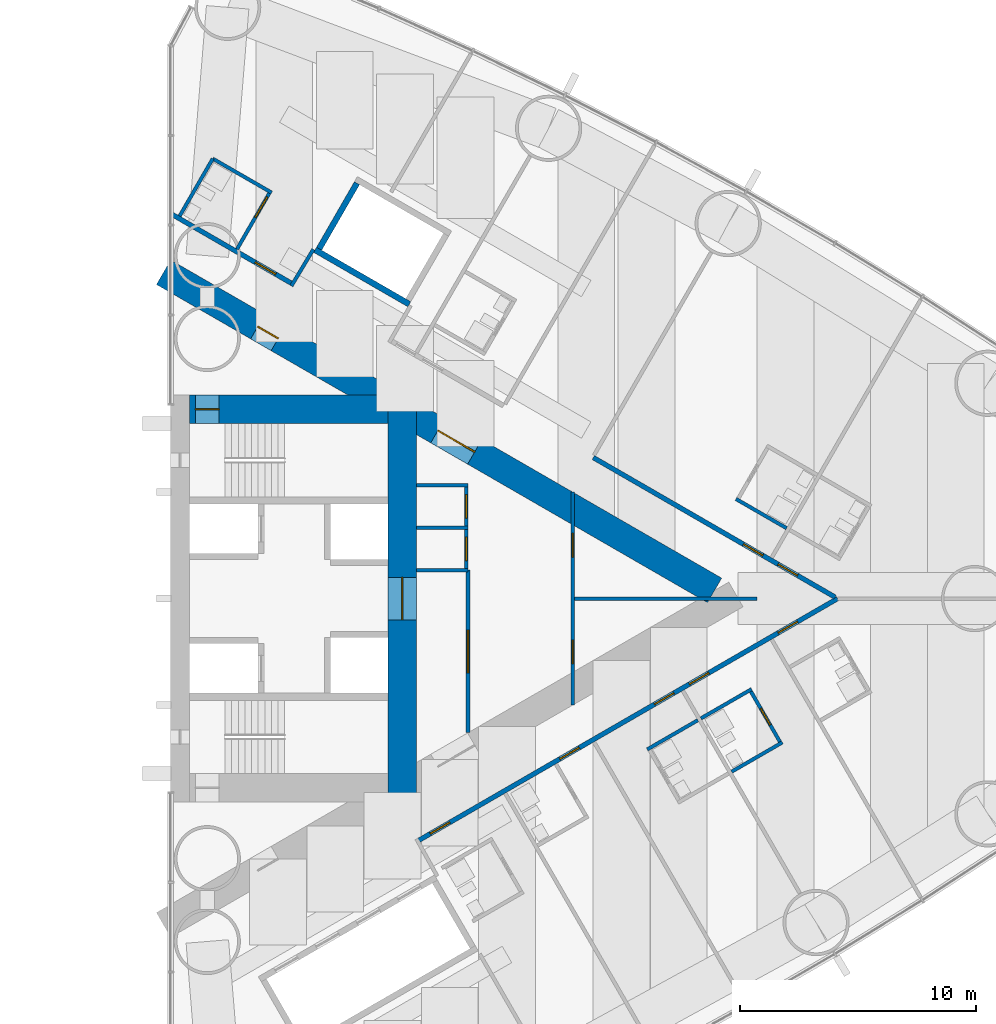
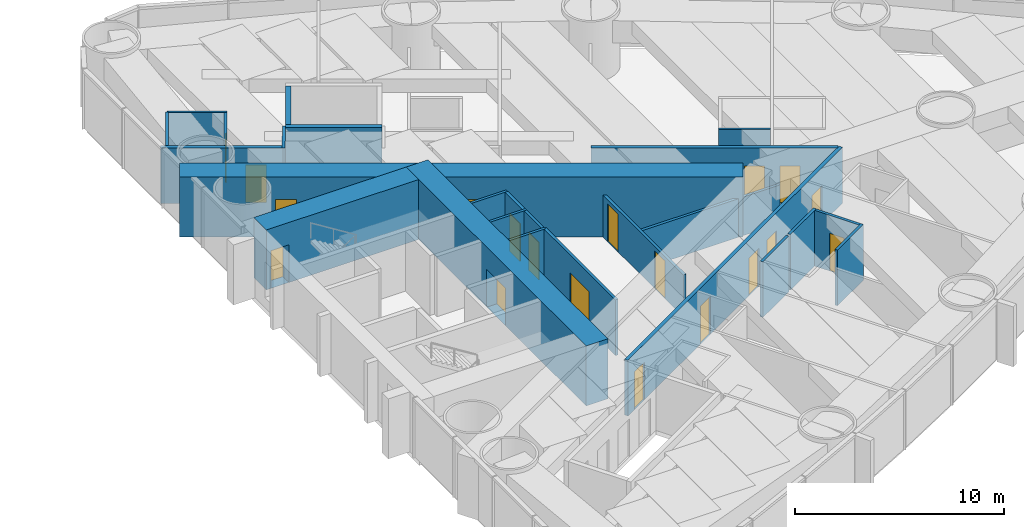
# One storey, part 14 of 18: 25 walls, 19 doors, 19 openings.
"""IFC4 building model written with IfcOpenShell, lengths in metres."""

from ifc_helpers import new_model, si_unit, direction, frame, frame_2d, origin, place, context, subcontext, project, spatial, rectangle, extrude, material, layer, layer_set, type_object, element, fill, save


model = new_model("IFC4")

# Units and contexts
model_context = context("Model", 3, precision=1e-05, world=origin(), true_north=direction((0.0, 1.0)))
body_context = subcontext(model_context, "Body", "Model", "MODEL_VIEW")
ifc_project = project(units=[si_unit("LENGTHUNIT", "METRE"), si_unit("AREAUNIT", "SQUARE_METRE"), si_unit("VOLUMEUNIT", "CUBIC_METRE"), si_unit("PLANEANGLEUNIT", "RADIAN"), si_unit("MASSUNIT", "GRAM", prefix="KILO")], contexts=[model_context])

# Site, building, storey
site_placement = place(None, origin())
site = spatial("IfcSite", under=ifc_project, at=site_placement, CompositionType="ELEMENT")
building_placement = place(site_placement, origin())
building = spatial("IfcBuilding", under=site, at=building_placement, Name="Lancet Gate Hotel", CompositionType="ELEMENT")
storey_placement = place(building_placement, frame((0.0, 0.0, 53.0)))
storey = spatial("IfcBuildingStorey", under=building, at=storey_placement, Name="L13", CompositionType="ELEMENT", Elevation=53.0)

# Walls
ifc_material_1 = material(Name="Moisture resistant board partition")
ifc_layer_1 = layer(ifc_material_1, 0.14990234375)
ifc_layer_set_1 = layer_set([ifc_layer_1], Name="Bathroom wall 150")
wall_type_1 = type_object("IfcWallType", Name="Bathroom wall 150", PredefinedType="PARTITIONING", material=ifc_layer_set_1)
for number, where, z_axis, x_axis, name in (
    (1, (47.651123046875, -6.38037109375, 0.0), (0.0, 0.0, 1.0), (0.866031185235, 0.4999899861, 0.0), "T2 bathroom wall 150 L13"),
    (2, (51.224365234375, -7.319580078125, 0.0), (0.0, 0.0, 1.0), (0.866031185235, 0.4999899861, 0.0), "T2 bathroom wall 150 L13"),
):
    element("IfcWall", number, at=place(storey_placement, frame(where, z_axis=z_axis, x_axis=x_axis)), inside=storey, type_object=wall_type_1, Name=name, PredefinedType="PARTITIONING", context=body_context, shape_type="SweptSolid", body=[
        extrude(rectangle(XDim=2.47509765625, YDim=0.14990234375, at=frame_2d((1.237548828125, 0.0))), origin(), (0.0, 0.0, 1.0), 3.25),
    ])

# Wall, opening, door
wall_1_placement = place(storey_placement, frame((52.0029296875, -3.867919921875, 0.0), z_axis=(0.0, 0.0, 1.0), x_axis=(0.500047596559, -0.865997922154, 0.0)))
wall_1 = element("IfcWall", 3, at=wall_1_placement, inside=storey, type_object=wall_type_1, Name="T2 bathroom wall 150 L13", PredefinedType="PARTITIONING", context=body_context, shape_type="SweptSolid", body=[
    extrude(rectangle(XDim=2.599853515625, YDim=0.14990234375, at=frame_2d((1.2998046875, 0.0))), origin(), (0.0, 0.0, 1.0), 3.25),
])
opening_1_placement = place(wall_1_placement, frame((0.89990234375, 0.0, 0.0)))
opening_1 = element("IfcOpeningElement", 4, at=opening_1_placement, cuts=wall_1, Name="Opening 1356-B", PredefinedType="OPENING", context=body_context, shape_type="SweptSolid", body=[
    extrude(rectangle(XDim=0.800048828125, YDim=2.199951171875, at=frame_2d((0.39990234375, 1.10009765625))), frame((0.0, 0.0849609375, 0.0), z_axis=(0.0, -1.0, 0.0), x_axis=(1.0, 0.0, 0.0)), (0.0, 0.0, 1.0), 0.169921875),
])
ifc_material_2 = material(Name="Timber door set", Category="wood")
door_type_1 = type_object("IfcDoorType", Name="Bathroom door 800", OperationType="SINGLE_SWING_RIGHT", PredefinedType="DOOR", material=ifc_material_2)
door_1_placement = place(opening_1_placement, origin())
door_1 = element("IfcDoor", 5, at=door_1_placement, inside=storey, type_object=door_type_1, Name="1356-B", OperationType="SINGLE_SWING_RIGHT", OverallHeight=2.199951171875, OverallWidth=0.800048828125, PredefinedType="DOOR", context=body_context, shape_type="SweptSolid", body=[
    extrude(rectangle(XDim=0.800048828125, YDim=2.199951171875, at=frame_2d((0.39990234375, 1.10009765625))), frame((0.0, 0.02490234375, 0.0), z_axis=(0.0, -1.0, 0.0), x_axis=(1.0, 0.0, 0.0)), (0.0, 0.0, 1.0), 0.050048828125),
])
fill(opening_1, door_1)

# Walls
wall_2_placement = place(storey_placement, frame((49.924560546875, -5.06787109375, 0.0), z_axis=(0.0, 0.0, 1.0), x_axis=(0.866006523861, 0.500032699561, 0.0)))
element("IfcWall", 6, at=wall_2_placement, inside=storey, type_object=wall_type_1, Name="T2 bathroom wall 150 L13", PredefinedType="PARTITIONING", context=body_context, shape_type="SweptSolid", body=[
    extrude(rectangle(XDim=2.474853515625, YDim=0.14990234375, at=frame_2d((1.2373046875, 0.0))), origin(), (0.0, 0.0, 1.0), 3.25),
])
wall_3_placement = place(storey_placement, frame((51.40625, 4.21240234375, 0.0), z_axis=(0.0, 0.0, 1.0), x_axis=(0.866031185235, -0.4999899861, 0.0)))
element("IfcWall", 7, at=wall_3_placement, inside=storey, type_object=wall_type_1, Name="T2 bathroom wall 150 L13", PredefinedType="PARTITIONING", context=body_context, shape_type="SweptSolid", body=[
    extrude(rectangle(XDim=2.47509765625, YDim=0.14990234375, at=frame_2d((1.237548828125, 0.0))), origin(), (0.0, 0.0, 1.0), 3.25),
])
wall_4_placement = place(storey_placement, frame((29.281982421875, 18.6025390625, 0.0), z_axis=(0.0, 0.0, 1.0), x_axis=(0.866018712932, -0.500011588718, 0.0)))
element("IfcWall", 8, at=wall_4_placement, inside=storey, type_object=wall_type_1, Name="T2 bathroom wall 150 L13", PredefinedType="PARTITIONING", context=body_context, shape_type="SweptSolid", body=[
    extrude(rectangle(XDim=2.875, YDim=0.14990234375, at=frame_2d((1.4375, 0.0))), origin(), (0.0, 0.0, 1.0), 3.25),
])

# Wall, opening, door
wall_5_placement = place(storey_placement, frame((30.306640625, 14.777587890625, 0.0), z_axis=(0.0, 0.0, 1.0), x_axis=(0.500049511043, 0.865996816683, 0.0)))
wall_5 = element("IfcWall", 9, at=wall_5_placement, inside=storey, type_object=wall_type_1, Name="T2 bathroom wall 150 L13", PredefinedType="PARTITIONING", context=body_context, shape_type="SweptSolid", body=[
    extrude(rectangle(XDim=2.800048828125, YDim=0.14990234375, at=frame_2d((1.39990234375, 0.0))), origin(), (0.0, 0.0, 1.0), 3.25),
])
opening_2_placement = place(wall_5_placement, frame((1.550048828125, 0.0, 0.0)))
opening_2 = element("IfcOpeningElement", 10, at=opening_2_placement, cuts=wall_5, Name="Opening 1364-B", PredefinedType="OPENING", context=body_context, shape_type="SweptSolid", body=[
    extrude(rectangle(XDim=1.0, YDim=2.199951171875, at=frame_2d((0.5, 1.10009765625))), frame((0.0, 0.0849609375, 0.0), z_axis=(0.0, -1.0, 0.0), x_axis=(1.0, 0.0, 0.0)), (0.0, 0.0, 1.0), 0.169921875),
])
ifc_material_3 = material(Name="Timber door set", Category="wood")
door_type_2 = type_object("IfcDoorType", Name="Accessible en-suite door 1000", OperationType="SINGLE_SWING_RIGHT", PredefinedType="DOOR", material=ifc_material_3)
door_2_placement = place(opening_2_placement, origin())
door_2 = element("IfcDoor", 11, at=door_2_placement, inside=storey, type_object=door_type_2, Name="1364-B", OperationType="SINGLE_SWING_RIGHT", OverallHeight=2.199951171875, OverallWidth=1.0, PredefinedType="DOOR", context=body_context, shape_type="SweptSolid", body=[
    extrude(rectangle(XDim=1.0, YDim=2.199951171875, at=frame_2d((0.5, 1.10009765625))), frame((0.0, 0.02490234375, 0.0), z_axis=(0.0, -1.0, 0.0), x_axis=(1.0, 0.0, 0.0)), (0.0, 0.0, 1.0), 0.050048828125),
])
fill(opening_2, door_2)

# Wall
wall_6_placement = place(storey_placement, frame((27.8818359375, 16.177490234375, 0.0), z_axis=(0.0, 0.0, 1.0), x_axis=(0.500011755427, 0.866018616679, 0.0)))
element("IfcWall", 12, at=wall_6_placement, inside=storey, type_object=wall_type_1, Name="T2 bathroom wall 150 L13", PredefinedType="PARTITIONING", context=body_context, shape_type="SweptSolid", body=[
    extrude(rectangle(XDim=2.80029296875, YDim=0.14990234375, at=frame_2d((1.400146484375, 0.0))), origin(), (0.0, 0.0, 1.0), 3.25),
])

# Wall, openings, doors
ifc_material_4 = material(Name="Concrete C70/85", Category="concrete")
ifc_layer_2 = layer(ifc_material_4, 1.199951171875)
ifc_layer_set_2 = layer_set([ifc_layer_2], Name="Buttress wall 1200")
wall_type_2 = type_object("IfcWallType", Name="Buttress wall 1200", PredefinedType="SHEAR", material=ifc_layer_set_2)
wall_7_placement = place(storey_placement, frame((27.199951171875, 13.800048828125, 0.0), z_axis=(0.0, 0.0, 1.0), x_axis=(0.866024515034, -0.500001539357, 0.0)))
wall_7 = element("IfcWall", 13, at=wall_7_placement, inside=storey, type_object=wall_type_2, Name="T2 buttress wall N L13", PredefinedType="SHEAR", context=body_context, shape_type="SweptSolid", body=[
    extrude(rectangle(XDim=26.9072265625, YDim=1.199951171875, at=frame_2d((13.45361328125, 0.0))), origin(), (0.0, 0.0, 1.0), 3.5),
])
opening_3_placement = place(wall_7_placement, frame((4.60009765625, 0.0, 0.0)))
opening_3 = element("IfcOpeningElement", 14, at=opening_3_placement, cuts=wall_7, Name="Opening T2-L13-LN", PredefinedType="OPENING", context=body_context, shape_type="SweptSolid", body=[
    extrude(rectangle(XDim=1.0, YDim=2.199951171875, at=frame_2d((0.5, 1.10009765625))), frame((0.0, 0.60986328125, 0.0), z_axis=(0.0, -1.0, 0.0), x_axis=(1.0, 0.0, 0.0)), (0.0, 0.0, 1.0), 1.219970703125),
])
opening_4_placement = place(wall_7_placement, frame((13.39453125, 0.0, 0.0)))
opening_4 = element("IfcOpeningElement", 15, at=opening_4_placement, cuts=wall_7, Name="Opening T2-L13-LHN", PredefinedType="OPENING", context=body_context, shape_type="SweptSolid", body=[
    extrude(rectangle(XDim=1.800048828125, YDim=2.199951171875, at=frame_2d((0.89990234375, 1.10009765625))), frame((0.0, 0.60986328125, 0.0), z_axis=(0.0, -1.0, 0.0), x_axis=(1.0, 0.0, 0.0)), (0.0, 0.0, 1.0), 1.219970703125),
])
ifc_material_5 = material(Name="Timber door set", Category="wood")
door_type_3 = type_object("IfcDoorType", Name="Lobby double door 1800", OperationType="DOUBLE_DOOR_SINGLE_SWING", PredefinedType="DOOR", material=ifc_material_5)
door_3_placement = place(opening_4_placement, origin())
door_3 = element("IfcDoor", 16, at=door_3_placement, inside=storey, type_object=door_type_3, Name="T2-L13-LHN", OperationType="DOUBLE_DOOR_SINGLE_SWING", OverallHeight=2.199951171875, OverallWidth=1.800048828125, PredefinedType="DOOR", context=body_context, shape_type="SweptSolid", body=[
    extrude(rectangle(XDim=1.800048828125, YDim=2.199951171875, at=frame_2d((0.89990234375, 1.10009765625))), frame((0.0, 0.02490234375, 0.0), z_axis=(0.0, -1.0, 0.0), x_axis=(1.0, 0.0, 0.0)), (0.0, 0.0, 1.0), 0.050048828125),
])
fill(opening_4, door_3)
ifc_material_6 = material(Name="Timber door set", Category="wood")
door_type_4 = type_object("IfcDoorType", Name="Stair lobby door 1000", OperationType="SINGLE_SWING_LEFT", PredefinedType="DOOR", material=ifc_material_6)
door_4_placement = place(opening_3_placement, origin())
door_4 = element("IfcDoor", 17, at=door_4_placement, inside=storey, type_object=door_type_4, Name="T2-L13-LN", OperationType="SINGLE_SWING_LEFT", OverallHeight=2.199951171875, OverallWidth=1.0, PredefinedType="DOOR", context=body_context, shape_type="SweptSolid", body=[
    extrude(rectangle(XDim=1.0, YDim=2.199951171875, at=frame_2d((0.5, 1.10009765625))), frame((0.0, 0.02490234375, 0.0), z_axis=(0.0, -1.0, 0.0), x_axis=(1.0, 0.0, 0.0)), (0.0, 0.0, 1.0), 0.050048828125),
])
fill(opening_3, door_4)

# Wall, opening, door
ifc_material_7 = material(Name="Concrete C70/85", Category="concrete")
ifc_layer_3 = layer(ifc_material_7, 1.199951171875)
ifc_layer_set_3 = layer_set([ifc_layer_3], Name="Core wall 1200")
wall_type_3 = type_object("IfcWallType", Name="Core wall 1200", PredefinedType="SHEAR", material=ifc_layer_set_3)
wall_8_placement = place(storey_placement, frame((37.300048828125, -8.60009765625, 0.0), z_axis=(0.0, 0.0, 1.0), x_axis=(0.0, 1.0, 0.0)))
wall_8 = element("IfcWall", 18, at=wall_8_placement, inside=storey, type_object=wall_type_3, Name="T2 core wall back L13", PredefinedType="SHEAR", context=body_context, shape_type="SweptSolid", body=[
    extrude(rectangle(XDim=17.2001953125, YDim=1.199951171875, at=frame_2d((8.60009765625, 0.0))), origin(), (0.0, 0.0, 1.0), 3.5),
])
opening_5_placement = place(wall_8_placement, frame((7.699951171875, 0.0, 0.0)))
opening_5 = element("IfcOpeningElement", 19, at=opening_5_placement, cuts=wall_8, Name="Opening T2-L13-LL", PredefinedType="OPENING", context=body_context, shape_type="SweptSolid", body=[
    extrude(rectangle(XDim=1.800048828125, YDim=2.199951171875, at=frame_2d((0.89990234375, 1.10009765625))), frame((0.0, 0.60986328125, 0.0), z_axis=(0.0, -1.0, 0.0), x_axis=(1.0, 0.0, 0.0)), (0.0, 0.0, 1.0), 1.219970703125),
])
door_5_placement = place(opening_5_placement, origin())
door_5 = element("IfcDoor", 20, at=door_5_placement, inside=storey, type_object=door_type_3, Name="T2-L13-LL", OperationType="DOUBLE_DOOR_SINGLE_SWING", OverallHeight=2.199951171875, OverallWidth=1.800048828125, PredefinedType="DOOR", context=body_context, shape_type="SweptSolid", body=[
    extrude(rectangle(XDim=1.800048828125, YDim=2.199951171875, at=frame_2d((0.89990234375, 1.10009765625))), frame((0.0, 0.02490234375, 0.0), z_axis=(0.0, -1.0, 0.0), x_axis=(1.0, 0.0, 0.0)), (0.0, 0.0, 1.0), 0.050048828125),
])
fill(opening_5, door_5)

wall_9_placement = place(storey_placement, frame((28.300048828125, 8.0, 0.0), z_axis=(0.0, 0.0, 1.0), x_axis=(1.0, 0.0, 0.0)))
wall_9 = element("IfcWall", 21, at=wall_9_placement, inside=storey, type_object=wall_type_3, Name="T2 core wall side-N L13", PredefinedType="SHEAR", context=body_context, shape_type="SweptSolid", body=[
    extrude(rectangle(XDim=8.39990234375, YDim=1.199951171875, at=frame_2d((4.199951171875, 0.0))), origin(), (0.0, 0.0, 1.0), 3.5),
])
opening_6_placement = place(wall_9_placement, frame((0.25, 0.0, 0.0)))
opening_6 = element("IfcOpeningElement", 22, at=opening_6_placement, cuts=wall_9, Name="Opening T2-L13-ST2", PredefinedType="OPENING", context=body_context, shape_type="SweptSolid", body=[
    extrude(rectangle(XDim=1.0, YDim=2.199951171875, at=frame_2d((0.5, 1.10009765625))), frame((0.0, 0.60986328125, 0.0), z_axis=(0.0, -1.0, 0.0), x_axis=(1.0, 0.0, 0.0)), (0.0, 0.0, 1.0), 1.219970703125),
])
ifc_material_8 = material(Name="Timber door set", Category="wood")
door_type_5 = type_object("IfcDoorType", Name="Stair door 1000", OperationType="SINGLE_SWING_RIGHT", PredefinedType="DOOR", material=ifc_material_8)
door_6_placement = place(opening_6_placement, origin())
door_6 = element("IfcDoor", 23, at=door_6_placement, inside=storey, type_object=door_type_5, Name="T2-L13-ST2", OperationType="SINGLE_SWING_RIGHT", OverallHeight=2.199951171875, OverallWidth=1.0, PredefinedType="DOOR", context=body_context, shape_type="SweptSolid", body=[
    extrude(rectangle(XDim=1.0, YDim=2.199951171875, at=frame_2d((0.5, 1.10009765625))), frame((0.0, 0.02490234375, 0.0), z_axis=(0.0, -1.0, 0.0), x_axis=(1.0, 0.0, 0.0)), (0.0, 0.0, 1.0), 0.050048828125),
])
fill(opening_6, door_6)

# Wall, openings, doors
ifc_material_9 = material(Name="Gypsum board partition")
ifc_layer_4 = layer(ifc_material_9, 0.199951171875)
ifc_layer_set_4 = layer_set([ifc_layer_4], Name="Corridor wall 200")
wall_type_4 = type_object("IfcWallType", Name="Corridor wall 200", PredefinedType="PARTITIONING", material=ifc_layer_set_4)
wall_10_placement = place(storey_placement, frame((37.9599609375, -10.243408203125, 0.0), z_axis=(0.0, 0.0, 1.0), x_axis=(0.866026429433, 0.499998223521, 0.0)))
wall_10 = element("IfcWall", 24, at=wall_10_placement, inside=storey, type_object=wall_type_4, Name="T2 corridor wall 200 L13", PredefinedType="PARTITIONING", context=body_context, shape_type="SweptSolid", body=[
    extrude(rectangle(XDim=20.48681640625, YDim=0.199951171875, at=frame_2d((10.243408203125, 0.0))), origin(), (0.0, 0.0, 1.0), 3.25),
])
opening_7_placement = place(wall_10_placement, frame((6.925048828125, 0.0, 0.0)))
opening_7 = element("IfcOpeningElement", 25, at=opening_7_placement, cuts=wall_10, Name="Opening 1354-E", PredefinedType="OPENING", context=body_context, shape_type="SweptSolid", body=[
    extrude(rectangle(XDim=0.949951171875, YDim=2.199951171875, at=frame_2d((0.47509765625, 1.10009765625))), frame((0.0, 0.10986328125, 0.0), z_axis=(0.0, -1.0, 0.0), x_axis=(1.0, 0.0, 0.0)), (0.0, 0.0, 1.0), 0.219970703125),
])
opening_8_placement = place(wall_10_placement, frame((11.54931640625, 0.0, 0.0)))
opening_8 = element("IfcOpeningElement", 26, at=opening_8_placement, cuts=wall_10, Name="Opening 1355-E", PredefinedType="OPENING", context=body_context, shape_type="SweptSolid", body=[
    extrude(rectangle(XDim=0.949951171875, YDim=2.199951171875, at=frame_2d((0.47509765625, 1.10009765625))), frame((0.0, 0.10986328125, 0.0), z_axis=(0.0, -1.0, 0.0), x_axis=(1.0, 0.0, 0.0)), (0.0, 0.0, 1.0), 0.219970703125),
])
opening_9_placement = place(wall_10_placement, frame((13.249267578125, 0.0, 0.0)))
opening_9 = element("IfcOpeningElement", 27, at=opening_9_placement, cuts=wall_10, Name="Opening 1356-E", PredefinedType="OPENING", context=body_context, shape_type="SweptSolid", body=[
    extrude(rectangle(XDim=0.949951171875, YDim=2.199951171875, at=frame_2d((0.47509765625, 1.10009765625))), frame((0.0, 0.10986328125, 0.0), z_axis=(0.0, -1.0, 0.0), x_axis=(1.0, 0.0, 0.0)), (0.0, 0.0, 1.0), 0.219970703125),
])
opening_10_placement = place(wall_10_placement, frame((17.58544921875, 0.0, 0.0)))
opening_10 = element("IfcOpeningElement", 28, at=opening_10_placement, cuts=wall_10, Name="Opening 1357-E", PredefinedType="OPENING", context=body_context, shape_type="SweptSolid", body=[
    extrude(rectangle(XDim=0.949951171875, YDim=2.199951171875, at=frame_2d((0.47509765625, 1.10009765625))), frame((0.0, 0.10986328125, 0.0), z_axis=(0.0, -1.0, 0.0), x_axis=(1.0, 0.0, 0.0)), (0.0, 0.0, 1.0), 0.219970703125),
])
opening_11_placement = place(wall_10_placement, frame((0.60009765625, 0.0, 0.0)))
opening_11 = element("IfcOpeningElement", 29, at=opening_11_placement, cuts=wall_10, Name="Opening 1353-E", PredefinedType="OPENING", context=body_context, shape_type="SweptSolid", body=[
    extrude(rectangle(XDim=0.949951171875, YDim=2.199951171875, at=frame_2d((0.47509765625, 1.10009765625))), frame((0.0, 0.10986328125, 0.0), z_axis=(0.0, -1.0, 0.0), x_axis=(1.0, 0.0, 0.0)), (0.0, 0.0, 1.0), 0.219970703125),
])
ifc_material_10 = material(Name="Timber door set", Category="wood")
door_type_6 = type_object("IfcDoorType", Name="Guest room entry door 950", OperationType="SINGLE_SWING_LEFT", PredefinedType="DOOR", material=ifc_material_10)
door_7_placement = place(opening_7_placement, origin())
door_7 = element("IfcDoor", 30, at=door_7_placement, inside=storey, type_object=door_type_6, Name="1354-E", OperationType="SINGLE_SWING_LEFT", OverallHeight=2.199951171875, OverallWidth=0.949951171875, PredefinedType="DOOR", context=body_context, shape_type="SweptSolid", body=[
    extrude(rectangle(XDim=0.949951171875, YDim=2.199951171875, at=frame_2d((0.47509765625, 1.10009765625))), frame((0.0, 0.02490234375, 0.0), z_axis=(0.0, -1.0, 0.0), x_axis=(1.0, 0.0, 0.0)), (0.0, 0.0, 1.0), 0.050048828125),
])
fill(opening_7, door_7)
door_8_placement = place(opening_8_placement, origin())
door_8 = element("IfcDoor", 31, at=door_8_placement, inside=storey, type_object=door_type_6, Name="1355-E", OperationType="SINGLE_SWING_LEFT", OverallHeight=2.199951171875, OverallWidth=0.949951171875, PredefinedType="DOOR", context=body_context, shape_type="SweptSolid", body=[
    extrude(rectangle(XDim=0.949951171875, YDim=2.199951171875, at=frame_2d((0.47509765625, 1.10009765625))), frame((0.0, 0.02490234375, 0.0), z_axis=(0.0, -1.0, 0.0), x_axis=(1.0, 0.0, 0.0)), (0.0, 0.0, 1.0), 0.050048828125),
])
fill(opening_8, door_8)
door_9_placement = place(opening_9_placement, origin())
door_9 = element("IfcDoor", 32, at=door_9_placement, inside=storey, type_object=door_type_6, Name="1356-E", OperationType="SINGLE_SWING_LEFT", OverallHeight=2.199951171875, OverallWidth=0.949951171875, PredefinedType="DOOR", context=body_context, shape_type="SweptSolid", body=[
    extrude(rectangle(XDim=0.949951171875, YDim=2.199951171875, at=frame_2d((0.47509765625, 1.10009765625))), frame((0.0, 0.02490234375, 0.0), z_axis=(0.0, -1.0, 0.0), x_axis=(1.0, 0.0, 0.0)), (0.0, 0.0, 1.0), 0.050048828125),
])
fill(opening_9, door_9)
door_10_placement = place(opening_10_placement, origin())
door_10 = element("IfcDoor", 33, at=door_10_placement, inside=storey, type_object=door_type_6, Name="1357-E", OperationType="SINGLE_SWING_LEFT", OverallHeight=2.199951171875, OverallWidth=0.949951171875, PredefinedType="DOOR", context=body_context, shape_type="SweptSolid", body=[
    extrude(rectangle(XDim=0.949951171875, YDim=2.199951171875, at=frame_2d((0.47509765625, 1.10009765625))), frame((0.0, 0.02490234375, 0.0), z_axis=(0.0, -1.0, 0.0), x_axis=(1.0, 0.0, 0.0)), (0.0, 0.0, 1.0), 0.050048828125),
])
fill(opening_10, door_10)
door_11_placement = place(opening_11_placement, origin())
door_11 = element("IfcDoor", 34, at=door_11_placement, inside=storey, type_object=door_type_6, Name="1353-E", OperationType="SINGLE_SWING_LEFT", OverallHeight=2.199951171875, OverallWidth=0.949951171875, PredefinedType="DOOR", context=body_context, shape_type="SweptSolid", body=[
    extrude(rectangle(XDim=0.949951171875, YDim=2.199951171875, at=frame_2d((0.47509765625, 1.10009765625))), frame((0.0, 0.02490234375, 0.0), z_axis=(0.0, -1.0, 0.0), x_axis=(1.0, 0.0, 0.0)), (0.0, 0.0, 1.0), 0.050048828125),
])
fill(opening_11, door_11)

# Wall, opening, door
wall_11_placement = place(storey_placement, frame((27.572021484375, 16.240966796875, 0.0), z_axis=(0.0, 0.0, 1.0), x_axis=(0.866032814021, -0.499987164874, 0.0)))
wall_11 = element("IfcWall", 35, at=wall_11_placement, inside=storey, type_object=wall_type_4, Name="T2 corridor wall 200 L13", PredefinedType="PARTITIONING", context=body_context, shape_type="SweptSolid", body=[
    extrude(rectangle(XDim=5.854736328125, YDim=0.199951171875, at=frame_2d((2.92724609375, 0.0))), origin(), (0.0, 0.0, 1.0), 3.25),
])
opening_12_placement = place(wall_11_placement, frame((4.050048828125, 0.0, 0.0)))
opening_12 = element("IfcOpeningElement", 36, at=opening_12_placement, cuts=wall_11, Name="Opening 1364-E", PredefinedType="OPENING", context=body_context, shape_type="SweptSolid", body=[
    extrude(rectangle(XDim=1.0, YDim=2.199951171875, at=frame_2d((0.5, 1.10009765625))), frame((0.0, 0.10986328125, 0.0), z_axis=(0.0, -1.0, 0.0), x_axis=(1.0, 0.0, 0.0)), (0.0, 0.0, 1.0), 0.219970703125),
])
ifc_material_11 = material(Name="Timber door set", Category="wood")
door_type_7 = type_object("IfcDoorType", Name="Accessible guest room door 1000", OperationType="SINGLE_SWING_LEFT", PredefinedType="DOOR", material=ifc_material_11)
door_12_placement = place(opening_12_placement, origin())
door_12 = element("IfcDoor", 37, at=door_12_placement, inside=storey, type_object=door_type_7, Name="1364-E", OperationType="SINGLE_SWING_LEFT", OverallHeight=2.199951171875, OverallWidth=1.0, PredefinedType="DOOR", context=body_context, shape_type="SweptSolid", body=[
    extrude(rectangle(XDim=1.0, YDim=2.199951171875, at=frame_2d((0.5, 1.10009765625))), frame((0.0, 0.02490234375, 0.0), z_axis=(0.0, -1.0, 0.0), x_axis=(1.0, 0.0, 0.0)), (0.0, 0.0, 1.0), 0.050048828125),
])
fill(opening_12, door_12)

# Wall, openings, doors
wall_12_placement = place(storey_placement, frame((45.37451171875, 5.962646484375, 0.0), z_axis=(0.0, 0.0, 1.0), x_axis=(0.86603164725, -0.499989185844, 0.0)))
wall_12 = element("IfcWall", 38, at=wall_12_placement, inside=storey, type_object=wall_type_4, Name="T2 corridor wall 200 L13", PredefinedType="PARTITIONING", context=body_context, shape_type="SweptSolid", body=[
    extrude(rectangle(XDim=11.805419921875, YDim=0.199951171875, at=frame_2d((5.90283203125, 0.0))), origin(), (0.0, 0.0, 1.0), 3.25),
])
opening_13_placement = place(wall_12_placement, frame((9.023681640625, 0.0, 0.0)))
opening_13 = element("IfcOpeningElement", 39, at=opening_13_placement, cuts=wall_12, Name="Opening 1358-E", PredefinedType="OPENING", context=body_context, shape_type="SweptSolid", body=[
    extrude(rectangle(XDim=0.949951171875, YDim=2.199951171875, at=frame_2d((0.47509765625, 1.10009765625))), frame((0.0, 0.10986328125, 0.0), z_axis=(0.0, -1.0, 0.0), x_axis=(1.0, 0.0, 0.0)), (0.0, 0.0, 1.0), 0.219970703125),
])
opening_14_placement = place(wall_12_placement, frame((7.32373046875, 0.0, 0.0)))
opening_14 = element("IfcOpeningElement", 40, at=opening_14_placement, cuts=wall_12, Name="Opening 1359-E", PredefinedType="OPENING", context=body_context, shape_type="SweptSolid", body=[
    extrude(rectangle(XDim=0.949951171875, YDim=2.199951171875, at=frame_2d((0.47509765625, 1.10009765625))), frame((0.0, 0.10986328125, 0.0), z_axis=(0.0, -1.0, 0.0), x_axis=(1.0, 0.0, 0.0)), (0.0, 0.0, 1.0), 0.219970703125),
])
door_13_placement = place(opening_13_placement, origin())
door_13 = element("IfcDoor", 41, at=door_13_placement, inside=storey, type_object=door_type_6, Name="1358-E", OperationType="SINGLE_SWING_LEFT", OverallHeight=2.199951171875, OverallWidth=0.949951171875, PredefinedType="DOOR", context=body_context, shape_type="SweptSolid", body=[
    extrude(rectangle(XDim=0.949951171875, YDim=2.199951171875, at=frame_2d((0.47509765625, 1.10009765625))), frame((0.0, 0.02490234375, 0.0), z_axis=(0.0, -1.0, 0.0), x_axis=(1.0, 0.0, 0.0)), (0.0, 0.0, 1.0), 0.050048828125),
])
fill(opening_13, door_13)
door_14_placement = place(opening_14_placement, origin())
door_14 = element("IfcDoor", 42, at=door_14_placement, inside=storey, type_object=door_type_6, Name="1359-E", OperationType="SINGLE_SWING_LEFT", OverallHeight=2.199951171875, OverallWidth=0.949951171875, PredefinedType="DOOR", context=body_context, shape_type="SweptSolid", body=[
    extrude(rectangle(XDim=0.949951171875, YDim=2.199951171875, at=frame_2d((0.47509765625, 1.10009765625))), frame((0.0, 0.02490234375, 0.0), z_axis=(0.0, -1.0, 0.0), x_axis=(1.0, 0.0, 0.0)), (0.0, 0.0, 1.0), 0.050048828125),
])
fill(opening_14, door_14)

# Walls
ifc_material_12 = material(Name="Gypsum board partition")
ifc_layer_5 = layer(ifc_material_12, 0.25)
ifc_layer_set_5 = layer_set([ifc_layer_5], Name="Lift shaft partition 250")
wall_type_5 = type_object("IfcWallType", Name="Lift shaft partition 250", PredefinedType="PARTITIONING", material=ifc_layer_set_5)
wall_13_placement = place(storey_placement, frame((33.6083984375, 14.747314453125, 0.0), z_axis=(0.0, 0.0, 1.0), x_axis=(0.866043305498, -0.49996899204, 0.0)))
element("IfcWall", 43, at=wall_13_placement, inside=storey, type_object=wall_type_5, Name="T2 lift shaft wall EX L13", PredefinedType="PARTITIONING", context=body_context, shape_type="SweptSolid", body=[
    extrude(rectangle(XDim=4.600341796875, YDim=0.25, at=frame_2d((2.30029296875, 0.0))), origin(), (0.0, 0.0, 1.0), 3.25),
])
wall_14_placement = place(storey_placement, frame((33.779296875, 14.79296875, 0.0), z_axis=(0.0, 0.0, 1.0), x_axis=(0.499929347863, 0.866066190972, 0.0)))
element("IfcWall", 44, at=wall_14_placement, inside=storey, type_object=wall_type_5, Name="T2 lift shaft wall EX L13", PredefinedType="PARTITIONING", context=body_context, shape_type="SweptSolid", body=[
    extrude(rectangle(XDim=3.20068359375, YDim=0.25, at=frame_2d((1.600341796875, 0.0))), origin(), (0.0, 0.0, 1.0), 3.25),
])
ifc_material_13 = material(Name="Gypsum board partition")
ifc_layer_6 = layer(ifc_material_13, 0.14990234375)
ifc_layer_set_6 = layer_set([ifc_layer_6], Name="Service room wall 150")
wall_type_6 = type_object("IfcWallType", Name="Service room wall 150", PredefinedType="PARTITIONING", material=ifc_layer_set_6)
wall_15_placement = place(storey_placement, frame((33.533447265625, 14.767333984375, 0.0), z_axis=(0.0, 0.0, 1.0), x_axis=(-0.514296815006, -0.857612258585, 0.0)))
element("IfcWall", 45, at=wall_15_placement, inside=storey, type_object=wall_type_6, Name="T2 service room wall 150 L13", PredefinedType="PARTITIONING", context=body_context, shape_type="SweptSolid", body=[
    extrude(rectangle(XDim=1.804931640625, YDim=0.14990234375, at=frame_2d((0.90234375, 0.0))), origin(), (0.0, 0.0, 1.0), 3.25),
])
for number, where, z_axis, x_axis, name in (
    (46, (37.89990234375, 1.199951171875, 0.0), (0.0, 0.0, 1.0), (1.0, 0.0, 0.0), "T2 service room wall 150 L13"),
    (47, (37.89990234375, 3.0, 0.0), (0.0, 0.0, 1.0), (1.0, 0.0, 0.0), "T2 service room wall 150 L13"),
    (48, (37.89990234375, 4.800048828125, 0.0), (0.0, 0.0, 1.0), (1.0, 0.0, 0.0), "T2 service room wall 150 L13"),
):
    element("IfcWall", number, at=place(storey_placement, frame(where, z_axis=z_axis, x_axis=x_axis)), inside=storey, type_object=wall_type_6, Name=name, PredefinedType="PARTITIONING", context=body_context, shape_type="SweptSolid", body=[
        extrude(rectangle(XDim=2.175048828125, YDim=0.14990234375, at=frame_2d((1.08740234375, 0.0))), origin(), (0.0, 0.0, 1.0), 3.25),
    ])

# Wall, opening, door
wall_16_placement = place(storey_placement, frame((40.0, 1.125, 0.0), z_axis=(0.0, 0.0, 1.0), x_axis=(0.0, 1.0, 0.0)))
wall_16 = element("IfcWall", 49, at=wall_16_placement, inside=storey, type_object=wall_type_6, Name="T2 service room wall 150 L13", PredefinedType="PARTITIONING", context=body_context, shape_type="SweptSolid", body=[
    extrude(rectangle(XDim=1.949951171875, YDim=0.14990234375, at=frame_2d((0.97509765625, 0.0))), origin(), (0.0, 0.0, 1.0), 3.25),
])
opening_15_placement = place(wall_16_placement, frame((0.47509765625, 0.0, 0.0)))
opening_15 = element("IfcOpeningElement", 50, at=opening_15_placement, cuts=wall_16, Name="Opening T2-L13-HRN0", PredefinedType="OPENING", context=body_context, shape_type="SweptSolid", body=[
    extrude(rectangle(XDim=1.0, YDim=2.199951171875, at=frame_2d((0.5, 1.10009765625))), frame((0.0, 0.0849609375, 0.0), z_axis=(0.0, -1.0, 0.0), x_axis=(1.0, 0.0, 0.0)), (0.0, 0.0, 1.0), 0.169921875),
])
ifc_material_14 = material(Name="Timber door set", Category="wood")
door_type_8 = type_object("IfcDoorType", Name="Service door 1000", OperationType="SINGLE_SWING_LEFT", PredefinedType="DOOR", material=ifc_material_14)
door_15_placement = place(opening_15_placement, origin())
door_15 = element("IfcDoor", 51, at=door_15_placement, inside=storey, type_object=door_type_8, Name="T2-L13-HRN0", OperationType="SINGLE_SWING_LEFT", OverallHeight=2.199951171875, OverallWidth=1.0, PredefinedType="DOOR", context=body_context, shape_type="SweptSolid", body=[
    extrude(rectangle(XDim=1.0, YDim=2.199951171875, at=frame_2d((0.5, 1.10009765625))), frame((0.0, 0.02490234375, 0.0), z_axis=(0.0, -1.0, 0.0), x_axis=(1.0, 0.0, 0.0)), (0.0, 0.0, 1.0), 0.050048828125),
])
fill(opening_15, door_15)

wall_17_placement = place(storey_placement, frame((40.0, 2.925048828125, 0.0), z_axis=(0.0, 0.0, 1.0), x_axis=(0.0, 1.0, 0.0)))
wall_17 = element("IfcWall", 52, at=wall_17_placement, inside=storey, type_object=wall_type_6, Name="T2 service room wall 150 L13", PredefinedType="PARTITIONING", context=body_context, shape_type="SweptSolid", body=[
    extrude(rectangle(XDim=1.949951171875, YDim=0.14990234375, at=frame_2d((0.97509765625, 0.0))), origin(), (0.0, 0.0, 1.0), 3.25),
])
opening_16_placement = place(wall_17_placement, frame((0.47509765625, 0.0, 0.0)))
opening_16 = element("IfcOpeningElement", 53, at=opening_16_placement, cuts=wall_17, Name="Opening T2-L13-HRN1", PredefinedType="OPENING", context=body_context, shape_type="SweptSolid", body=[
    extrude(rectangle(XDim=1.0, YDim=2.199951171875, at=frame_2d((0.5, 1.10009765625))), frame((0.0, 0.0849609375, 0.0), z_axis=(0.0, -1.0, 0.0), x_axis=(1.0, 0.0, 0.0)), (0.0, 0.0, 1.0), 0.169921875),
])
door_16_placement = place(opening_16_placement, origin())
door_16 = element("IfcDoor", 54, at=door_16_placement, inside=storey, type_object=door_type_8, Name="T2-L13-HRN1", OperationType="SINGLE_SWING_LEFT", OverallHeight=2.199951171875, OverallWidth=1.0, PredefinedType="DOOR", context=body_context, shape_type="SweptSolid", body=[
    extrude(rectangle(XDim=1.0, YDim=2.199951171875, at=frame_2d((0.5, 1.10009765625))), frame((0.0, 0.02490234375, 0.0), z_axis=(0.0, -1.0, 0.0), x_axis=(1.0, 0.0, 0.0)), (0.0, 0.0, 1.0), 0.050048828125),
])
fill(opening_16, door_16)

wall_18_placement = place(storey_placement, frame((40.074951171875, -5.673828125, 0.0), z_axis=(0.0, 0.0, 1.0), x_axis=(0.0, 1.0, 0.0)))
wall_18 = element("IfcWall", 55, at=wall_18_placement, inside=storey, type_object=wall_type_6, Name="T2 service room wall 150 L13", PredefinedType="PARTITIONING", context=body_context, shape_type="SweptSolid", body=[
    extrude(rectangle(XDim=6.873779296875, YDim=0.14990234375, at=frame_2d((3.43701171875, 0.0))), origin(), (0.0, 0.0, 1.0), 3.25),
])
opening_17_placement = place(wall_18_placement, frame((2.536865234375, 0.0, 0.0)))
opening_17 = element("IfcOpeningElement", 56, at=opening_17_placement, cuts=wall_18, Name="Opening T2-L13-LH", PredefinedType="OPENING", context=body_context, shape_type="SweptSolid", body=[
    extrude(rectangle(XDim=1.800048828125, YDim=2.199951171875, at=frame_2d((0.89990234375, 1.10009765625))), frame((0.0, 0.0849609375, 0.0), z_axis=(0.0, -1.0, 0.0), x_axis=(1.0, 0.0, 0.0)), (0.0, 0.0, 1.0), 0.169921875),
])
door_17_placement = place(opening_17_placement, origin())
door_17 = element("IfcDoor", 57, at=door_17_placement, inside=storey, type_object=door_type_3, Name="T2-L13-LH", OperationType="DOUBLE_DOOR_SINGLE_SWING", OverallHeight=2.199951171875, OverallWidth=1.800048828125, PredefinedType="DOOR", context=body_context, shape_type="SweptSolid", body=[
    extrude(rectangle(XDim=1.800048828125, YDim=2.199951171875, at=frame_2d((0.89990234375, 1.10009765625))), frame((0.0, 0.02490234375, 0.0), z_axis=(0.0, -1.0, 0.0), x_axis=(1.0, 0.0, 0.0)), (0.0, 0.0, 1.0), 0.050048828125),
])
fill(opening_17, door_17)

# Wall, openings, doors
wall_19_placement = place(storey_placement, frame((44.5, -4.504638671875, 0.0), z_axis=(0.0, 0.0, 1.0), x_axis=(0.0, 1.0, 0.0)))
wall_19 = element("IfcWall", 58, at=wall_19_placement, inside=storey, type_object=wall_type_6, Name="T2 service room wall 150 L13", PredefinedType="PARTITIONING", context=body_context, shape_type="SweptSolid", body=[
    extrude(rectangle(XDim=9.00927734375, YDim=0.14990234375, at=frame_2d((4.504638671875, 0.0))), origin(), (0.0, 0.0, 1.0), 2.449951171875),
])
opening_18_placement = place(wall_19_placement, frame((1.752197265625, 0.0, 0.0)))
opening_18 = element("IfcOpeningElement", 59, at=opening_18_placement, cuts=wall_19, Name="Opening T2-L13-SV", PredefinedType="OPENING", context=body_context, shape_type="SweptSolid", body=[
    extrude(rectangle(XDim=1.0, YDim=2.199951171875, at=frame_2d((0.5, 1.10009765625))), frame((0.0, 0.0849609375, 0.0), z_axis=(0.0, -1.0, 0.0), x_axis=(1.0, 0.0, 0.0)), (0.0, 0.0, 1.0), 0.169921875),
])
opening_19_placement = place(wall_19_placement, frame((6.2568359375, 0.0, 0.0)))
opening_19 = element("IfcOpeningElement", 60, at=opening_19_placement, cuts=wall_19, Name="Opening T2-L13-SV2", PredefinedType="OPENING", context=body_context, shape_type="SweptSolid", body=[
    extrude(rectangle(XDim=1.0, YDim=2.199951171875, at=frame_2d((0.5, 1.10009765625))), frame((0.0, 0.0849609375, 0.0), z_axis=(0.0, -1.0, 0.0), x_axis=(1.0, 0.0, 0.0)), (0.0, 0.0, 1.0), 0.169921875),
])
door_18_placement = place(opening_18_placement, origin())
door_18 = element("IfcDoor", 61, at=door_18_placement, inside=storey, type_object=door_type_8, Name="T2-L13-SV", OperationType="SINGLE_SWING_LEFT", OverallHeight=2.199951171875, OverallWidth=1.0, PredefinedType="DOOR", context=body_context, shape_type="SweptSolid", body=[
    extrude(rectangle(XDim=1.0, YDim=2.199951171875, at=frame_2d((0.5, 1.10009765625))), frame((0.0, 0.02490234375, 0.0), z_axis=(0.0, -1.0, 0.0), x_axis=(1.0, 0.0, 0.0)), (0.0, 0.0, 1.0), 0.050048828125),
])
fill(opening_18, door_18)
door_19_placement = place(opening_19_placement, origin())
door_19 = element("IfcDoor", 62, at=door_19_placement, inside=storey, type_object=door_type_8, Name="T2-L13-SV2", OperationType="SINGLE_SWING_LEFT", OverallHeight=2.199951171875, OverallWidth=1.0, PredefinedType="DOOR", context=body_context, shape_type="SweptSolid", body=[
    extrude(rectangle(XDim=1.0, YDim=2.199951171875, at=frame_2d((0.5, 1.10009765625))), frame((0.0, 0.02490234375, 0.0), z_axis=(0.0, -1.0, 0.0), x_axis=(1.0, 0.0, 0.0)), (0.0, 0.0, 1.0), 0.050048828125),
])
fill(opening_19, door_19)

# Wall
wall_20_placement = place(storey_placement, frame((44.574951171875, 0.0, 0.0), z_axis=(0.0, 0.0, 1.0), x_axis=(1.0, 0.0, 0.0)))
element("IfcWall", 63, at=wall_20_placement, inside=storey, type_object=wall_type_6, Name="T2 service room wall 150 L13", PredefinedType="PARTITIONING", context=body_context, shape_type="SweptSolid", body=[
    extrude(rectangle(XDim=7.727294921875, YDim=0.14990234375, at=frame_2d((3.86376953125, 0.0))), origin(), (0.0, 0.0, 1.0), 2.25),
])

save(model, "model.ifc")
